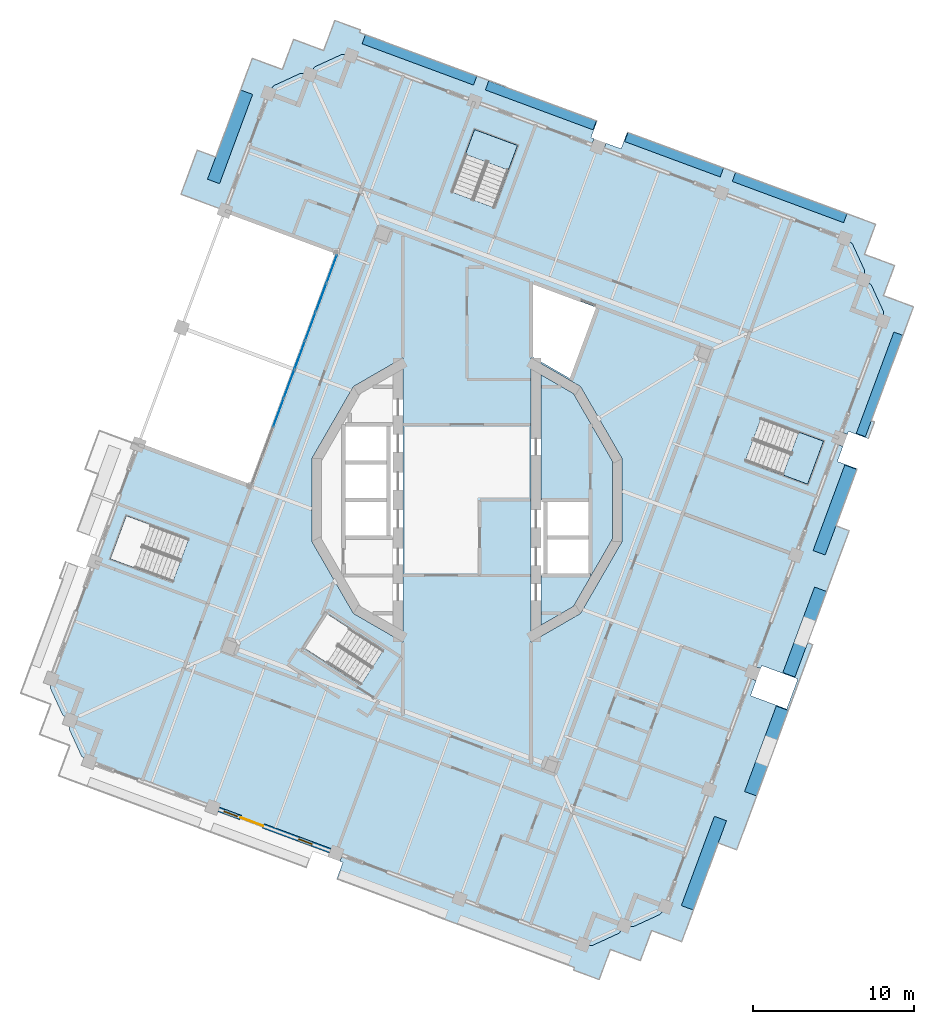
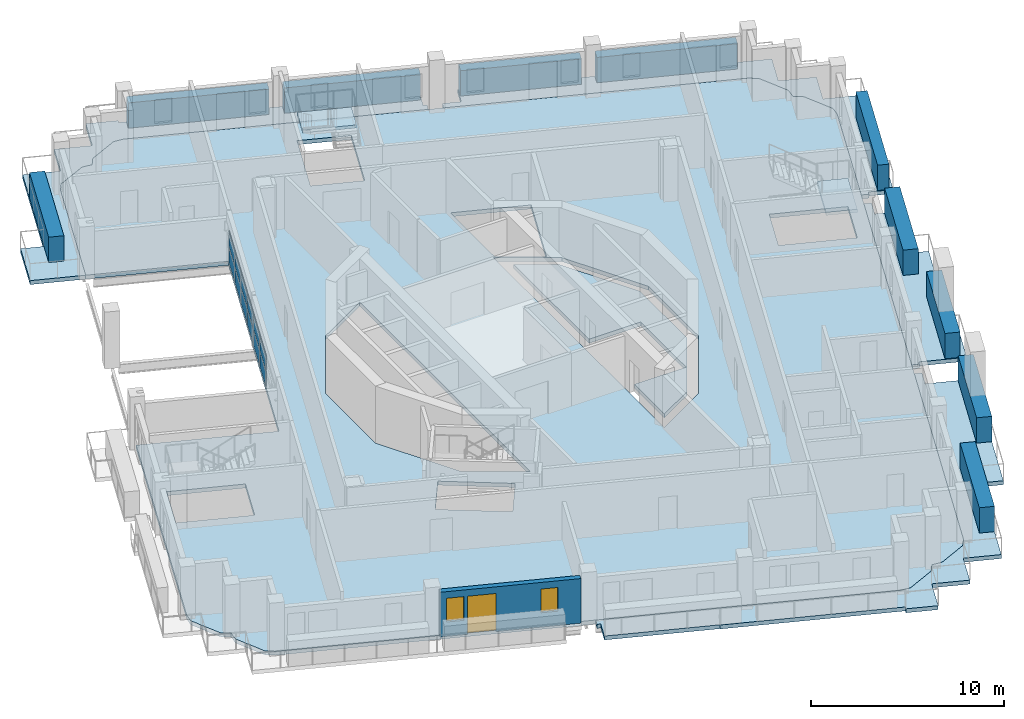
# One storey, part 6 of 20: 22 plates, 7 slabs, 2 windows, 1 door, 1 wall, 3 openings, 3 elements without a shape of their own.
"""IFC4 building model written with IfcOpenShell, lengths in metres."""

from ifc_helpers import new_model, si_unit, direction, frame, frame_2d, origin, origin_2d, place, context, subcontext, project, spatial, polyline, rectangle, outline, extrude, material, layer, layer_set, type_object, element, fill, aggregate, save


model = new_model("IFC4")

# Units and contexts
model_context = context("Model", 3, precision=1e-05, world=origin(), true_north=direction((0.0, 1.0)))
body_context = subcontext(model_context, "Body", "Model", "MODEL_VIEW")
ifc_project = project(units=[si_unit("LENGTHUNIT", "METRE"), si_unit("AREAUNIT", "SQUARE_METRE"), si_unit("VOLUMEUNIT", "CUBIC_METRE"), si_unit("PLANEANGLEUNIT", "RADIAN"), si_unit("MASSUNIT", "GRAM", prefix="KILO")], contexts=[model_context])

# Site, building, storey
site_placement = place(None, origin())
site = spatial("IfcSite", under=ifc_project, at=site_placement, CompositionType="ELEMENT")
building_placement = place(site_placement, origin())
building = spatial("IfcBuilding", under=site, at=building_placement, Name="Cantera Rosa Tower", CompositionType="ELEMENT")
storey_placement = place(building_placement, frame((0.0, 0.0, 309.699951171875)))
storey = spatial("IfcBuildingStorey", under=building, at=storey_placement, Name="L68", CompositionType="ELEMENT", Elevation=309.699951171875)

# Slabs
ifc_material_1 = material(Name="Concrete C35/45", Category="concrete")
ifc_layer_1 = layer(ifc_material_1, 0.25)
ifc_layer_set_1 = layer_set([ifc_layer_1], Name="COMPOSITE FLOOR SLAB 250 C35/45")
slab_type_1 = type_object("IfcSlabType", Name="COMPOSITE FLOOR SLAB 250 C35/45", PredefinedType="FLOOR", material=ifc_layer_set_1)
slab_1_placement = place(storey_placement, frame((0.0, 0.0, -0.25)))
element("IfcSlab", 1, at=slab_1_placement, inside=storey, type_object=slab_type_1, Name="SLAB L68 floor 2", PredefinedType="FLOOR", context=body_context, shape_type="SweptSolid", body=[
    extrude(outline(polyline([(-23.526611328125, -16.2900390625), (-23.919677734375, -16.031494140625), (-23.944091796875, -16.014892578125), (-23.966552734375, -15.99609375), (-23.987060546875, -15.974853515625), (-24.005615234375, -15.951904296875), (-24.021484375, -15.92724609375), (-24.03515625, -15.901123046875), (-24.743408203125, -14.35888671875), (-24.75439453125, -14.331787109375), (-24.7626953125, -14.303466796875), (-24.76806640625, -14.2744140625), (-24.7705078125, -14.2451171875), (-24.770263671875, -14.2158203125), (-24.76708984375, -14.186279296875), (-24.706787109375, -13.7197265625), (-25.10009765625, -13.461181640625), (-25.12451171875, -13.444580078125), (-25.14697265625, -13.42578125), (-25.16748046875, -13.404541015625), (-25.18603515625, -13.381591796875), (-25.201904296875, -13.35693359375), (-25.215576171875, -13.330810546875), (-25.923828125, -11.788818359375), (-25.934814453125, -11.76123046875), (-25.943115234375, -11.733154296875), (-25.948486328125, -11.7041015625), (-25.950927734375, -11.6748046875), (-25.95068359375, -11.6455078125), (-25.947509765625, -11.6162109375), (-25.88720703125, -11.1494140625), (-20.48046875, 3.44091796875), (-13.447998046875, 0.8349609375), (-8.041015625, 15.42529296875), (-15.07373046875, 18.031494140625), (-12.733154296875, 24.347412109375), (-12.370361328125, 25.32666015625), (-12.11181640625, 25.7197265625), (-12.09521484375, 25.744140625), (-12.076171875, 25.7666015625), (-12.05517578125, 25.787353515625), (-12.0322265625, 25.8056640625), (-12.007568359375, 25.82177734375), (-11.9814453125, 25.835205078125), (-10.439208984375, 26.543701171875), (-10.411865234375, 26.554443359375), (-10.383544921875, 26.562744140625), (-10.354736328125, 26.568115234375), (-10.325439453125, 26.57080078125), (-10.2958984375, 26.5703125), (-10.2666015625, 26.567138671875), (-9.800048828125, 26.507080078125), (-9.54150390625, 26.900146484375), (-9.52490234375, 26.924560546875), (-9.505859375, 26.947021484375), (-9.48486328125, 26.9677734375), (-9.4619140625, 26.986083984375), (-9.437255859375, 27.002197265625), (-9.4111328125, 27.015625), (-7.868896484375, 27.72412109375), (-7.841552734375, 27.735107421875), (-7.813232421875, 27.7431640625), (-7.784423828125, 27.74853515625), (-7.7548828125, 27.751220703125), (-7.7255859375, 27.750732421875), (-7.6962890625, 27.74755859375), (-7.2294921875, 27.6875), (-6.25048828125, 27.32470703125), (23.526611328125, 16.2900390625), (23.919677734375, 16.031494140625), (23.944091796875, 16.014892578125), (23.966552734375, 15.99609375), (23.987060546875, 15.974853515625), (24.005615234375, 15.951904296875), (24.021484375, 15.92724609375), (24.03515625, 15.901123046875), (24.743408203125, 14.35888671875), (24.75439453125, 14.331787109375), (24.7626953125, 14.303466796875), (24.76806640625, 14.2744140625), (24.7705078125, 14.2451171875), (24.770263671875, 14.2158203125), (24.76708984375, 14.186279296875), (24.706787109375, 13.7197265625), (25.10009765625, 13.461181640625), (25.12451171875, 13.444580078125), (25.14697265625, 13.42578125), (25.16748046875, 13.404541015625), (25.18603515625, 13.381591796875), (25.201904296875, 13.35693359375), (25.215576171875, 13.330810546875), (25.923828125, 11.788818359375), (25.934814453125, 11.76123046875), (25.943115234375, 11.733154296875), (25.948486328125, 11.7041015625), (25.950927734375, 11.6748046875), (25.95068359375, 11.6455078125), (25.947509765625, 11.6162109375), (25.88720703125, 11.1494140625), (12.733154296875, -24.347412109375), (12.370361328125, -25.32666015625), (12.11181640625, -25.7197265625), (12.09521484375, -25.744140625), (12.076171875, -25.7666015625), (12.05517578125, -25.787353515625), (12.0322265625, -25.8056640625), (12.007568359375, -25.82177734375), (11.9814453125, -25.835205078125), (10.439208984375, -26.543701171875), (10.411865234375, -26.554443359375), (10.383544921875, -26.562744140625), (10.354736328125, -26.568115234375), (10.325439453125, -26.57080078125), (10.2958984375, -26.5703125), (10.2666015625, -26.567138671875), (9.800048828125, -26.507080078125), (9.54150390625, -26.900146484375), (9.52490234375, -26.924560546875), (9.505859375, -26.947021484375), (9.48486328125, -26.9677734375), (9.4619140625, -26.986083984375), (9.437255859375, -27.002197265625), (9.4111328125, -27.015625), (7.868896484375, -27.72412109375), (7.841552734375, -27.735107421875), (7.813232421875, -27.7431640625), (7.784423828125, -27.74853515625), (7.7548828125, -27.751220703125), (7.7255859375, -27.750732421875), (7.6962890625, -27.74755859375), (7.2294921875, -27.6875), (6.25048828125, -27.32470703125), (-23.526611328125, -16.2900390625)]), holes=[polyline([(-8.581298828125, -7.1826171875), (-9.97021484375, -9.3212890625), (-6.6044921875, -11.507080078125), (-5.2158203125, -9.368408203125), (-8.581298828125, -7.1826171875)]), polyline([(-17.335693359375, -2.427490234375), (-21.2158203125, -0.989501953125), (-22.206298828125, -3.662109375), (-18.325927734375, -5.099853515625), (-17.335693359375, -2.427490234375)]), polyline([(-9.6591796875, 2.588134765625), (-9.6591796875, -2.588134765625), (-7.071044921875, -7.071044921875), (-4.0, -8.843994140625), (-4.0, 8.843994140625), (-7.071044921875, 7.071044921875), (-9.6591796875, 2.588134765625)]), polyline([(7.071044921875, -7.071044921875), (9.6591796875, -2.588134765625), (9.6591796875, 2.588134765625), (7.071044921875, 7.071044921875), (4.0, 8.843994140625), (4.0, -8.843994140625), (7.071044921875, -7.071044921875)]), polyline([(17.335693359375, 2.427490234375), (21.2158203125, 0.989501953125), (22.206298828125, 3.662109375), (18.325927734375, 5.099853515625), (17.335693359375, 2.427490234375)]), polyline([(4.10009765625, 8.90185546875), (6.427001953125, 7.558349609375), (8.0703125, 11.9931640625), (4.10009765625, 13.46435546875), (4.10009765625, 8.90185546875)]), polyline([(1.70654296875, 18.203369140625), (3.14453125, 22.08349609375), (0.47216796875, 23.07373046875), (-0.9658203125, 19.193603515625), (1.70654296875, 18.203369140625)])]), origin(), (0.0, 0.0, 1.0), 0.25),
])
slab_2_placement = place(storey_placement, frame((0.0, 0.0, -0.25)))
element("IfcSlab", 2, at=slab_2_placement, inside=storey, type_object=slab_type_1, Name="SLAB L68 floor 3", PredefinedType="FLOOR", context=body_context, shape_type="SweptSolid", body=[
    extrude(outline(polyline([(4.60009765625, 0.0), (4.60009765625, 7.804931640625), (6.6318359375, 6.6318359375), (9.059326171875, 2.427490234375), (9.059326171875, -2.427490234375), (6.6318359375, -6.6318359375), (4.60009765625, -7.804931640625), (4.60009765625, -4.699951171875), (7.699951171875, -4.699951171875), (7.699951171875, -2.35009765625), (7.699951171875, 0.0), (4.60009765625, 0.0)])), origin(), (0.0, 0.0, 1.0), 0.25),
])

# Curtain wall, plates
ifc_material_2 = material(Name="Aluminium frame with clear glass", Category="aluminium")
curtain_wall_type = type_object("IfcCurtainWallType", Name="CW1 TERRACE POCKET GLAZING", PredefinedType="NOTDEFINED", material=ifc_material_2)
curtain_wall_placement = place(storey_placement, origin())
curtain_wall = element("IfcCurtainWall", 3, at=curtain_wall_placement, inside=storey, type_object=curtain_wall_type, Name="CW1 CW1", PredefinedType="NOTDEFINED")
ifc_material_3 = material(Name="Aluminium frame with clear glass", Category="aluminium")
ifc_layer_2 = layer(ifc_material_3, 0.028076171875)
ifc_layer_set_2 = layer_set([ifc_layer_2], Name="CW-PANEL POCKET")
plate_type_1 = type_object("IfcPlateType", Name="CW-PANEL POCKET", PredefinedType="CURTAIN_PANEL", material=ifc_layer_set_2)
plate_1_placement = place(storey_placement, frame((-8.422119140625, 14.396728515625, 0.06005859375), z_axis=(0.0, 0.0, 1.0), x_axis=(-0.347481234472, -0.93768693693, 0.0)))
plate_1 = element("IfcPlate", 4, at=plate_1_placement, type_object=plate_type_1, Name="CW1 panel 1.1", PredefinedType="CURTAIN_PANEL", context=body_context, shape_type="SweptSolid", body=[
    extrude(rectangle(XDim=1.82373046875, YDim=0.028076171875, at=origin_2d()), origin(), (0.0, 0.0, 1.0), 0.97412109375),
])
plate_2_placement = place(storey_placement, frame((-8.422119140625, 14.396728515625, 1.093994140625), z_axis=(0.0, 0.0, 1.0), x_axis=(-0.347481234472, -0.93768693693, 0.0)))
plate_2 = element("IfcPlate", 5, at=plate_2_placement, type_object=plate_type_1, Name="CW1 panel 1.2", PredefinedType="CURTAIN_PANEL", context=body_context, shape_type="SweptSolid", body=[
    extrude(rectangle(XDim=1.82373046875, YDim=0.028076171875, at=origin_2d()), origin(), (0.0, 0.0, 1.0), 0.97412109375),
])
plate_3_placement = place(storey_placement, frame((-9.08203125, 12.616455078125, 0.06005859375), z_axis=(0.0, 0.0, 1.0), x_axis=(-0.347481234472, -0.93768693693, 0.0)))
plate_3 = element("IfcPlate", 6, at=plate_3_placement, type_object=plate_type_1, Name="CW1 panel 2.1", PredefinedType="CURTAIN_PANEL", context=body_context, shape_type="SweptSolid", body=[
    extrude(rectangle(XDim=1.853759765625, YDim=0.028076171875, at=origin_2d()), origin(), (0.0, 0.0, 1.0), 0.97412109375),
])
plate_4_placement = place(storey_placement, frame((-9.08203125, 12.616455078125, 1.093994140625), z_axis=(0.0, 0.0, 1.0), x_axis=(-0.347481234472, -0.93768693693, 0.0)))
plate_4 = element("IfcPlate", 7, at=plate_4_placement, type_object=plate_type_1, Name="CW1 panel 2.2", PredefinedType="CURTAIN_PANEL", context=body_context, shape_type="SweptSolid", body=[
    extrude(rectangle(XDim=1.853759765625, YDim=0.028076171875, at=origin_2d()), origin(), (0.0, 0.0, 1.0), 0.97412109375),
])
plate_5_placement = place(storey_placement, frame((-9.7470703125, 10.82177734375, 0.06005859375), z_axis=(0.0, 0.0, 1.0), x_axis=(-0.347481234472, -0.93768693693, 0.0)))
plate_5 = element("IfcPlate", 8, at=plate_5_placement, type_object=plate_type_1, Name="CW1 panel 3.1", PredefinedType="CURTAIN_PANEL", context=body_context, shape_type="SweptSolid", body=[
    extrude(rectangle(XDim=1.853759765625, YDim=0.028076171875, at=origin_2d()), origin(), (0.0, 0.0, 1.0), 0.97412109375),
])
plate_6_placement = place(storey_placement, frame((-9.7470703125, 10.82177734375, 1.093994140625), z_axis=(0.0, 0.0, 1.0), x_axis=(-0.347481234472, -0.93768693693, 0.0)))
plate_6 = element("IfcPlate", 9, at=plate_6_placement, type_object=plate_type_1, Name="CW1 panel 3.2", PredefinedType="CURTAIN_PANEL", context=body_context, shape_type="SweptSolid", body=[
    extrude(rectangle(XDim=1.853759765625, YDim=0.028076171875, at=origin_2d()), origin(), (0.0, 0.0, 1.0), 0.97412109375),
])
plate_7_placement = place(storey_placement, frame((-10.411865234375, 9.02734375, 0.06005859375), z_axis=(0.0, 0.0, 1.0), x_axis=(-0.347481234472, -0.93768693693, 0.0)))
plate_7 = element("IfcPlate", 10, at=plate_7_placement, type_object=plate_type_1, Name="CW1 panel 4.1", PredefinedType="CURTAIN_PANEL", context=body_context, shape_type="SweptSolid", body=[
    extrude(rectangle(XDim=1.853759765625, YDim=0.028076171875, at=origin_2d()), origin(), (0.0, 0.0, 1.0), 0.97412109375),
])
plate_8_placement = place(storey_placement, frame((-10.411865234375, 9.02734375, 1.093994140625), z_axis=(0.0, 0.0, 1.0), x_axis=(-0.347481234472, -0.93768693693, 0.0)))
plate_8 = element("IfcPlate", 11, at=plate_8_placement, type_object=plate_type_1, Name="CW1 panel 4.2", PredefinedType="CURTAIN_PANEL", context=body_context, shape_type="SweptSolid", body=[
    extrude(rectangle(XDim=1.853759765625, YDim=0.028076171875, at=origin_2d()), origin(), (0.0, 0.0, 1.0), 0.97412109375),
])
plate_9_placement = place(storey_placement, frame((-11.076904296875, 7.23291015625, 0.06005859375), z_axis=(0.0, 0.0, 1.0), x_axis=(-0.347481234472, -0.93768693693, 0.0)))
plate_9 = element("IfcPlate", 12, at=plate_9_placement, type_object=plate_type_1, Name="CW1 panel 5.1", PredefinedType="CURTAIN_PANEL", context=body_context, shape_type="SweptSolid", body=[
    extrude(rectangle(XDim=1.853759765625, YDim=0.028076171875, at=origin_2d()), origin(), (0.0, 0.0, 1.0), 0.97412109375),
])
plate_10_placement = place(storey_placement, frame((-11.076904296875, 7.23291015625, 1.093994140625), z_axis=(0.0, 0.0, 1.0), x_axis=(-0.347481234472, -0.93768693693, 0.0)))
plate_10 = element("IfcPlate", 13, at=plate_10_placement, type_object=plate_type_1, Name="CW1 panel 5.2", PredefinedType="CURTAIN_PANEL", context=body_context, shape_type="SweptSolid", body=[
    extrude(rectangle(XDim=1.853759765625, YDim=0.028076171875, at=origin_2d()), origin(), (0.0, 0.0, 1.0), 0.97412109375),
])
plate_11_placement = place(storey_placement, frame((-11.741943359375, 5.4384765625, 0.06005859375), z_axis=(0.0, 0.0, 1.0), x_axis=(-0.347481234472, -0.93768693693, 0.0)))
plate_11 = element("IfcPlate", 14, at=plate_11_placement, type_object=plate_type_1, Name="CW1 panel 6.1", PredefinedType="CURTAIN_PANEL", context=body_context, shape_type="SweptSolid", body=[
    extrude(rectangle(XDim=1.853759765625, YDim=0.028076171875, at=origin_2d()), origin(), (0.0, 0.0, 1.0), 0.97412109375),
])
plate_12_placement = place(storey_placement, frame((-11.741943359375, 5.4384765625, 1.093994140625), z_axis=(0.0, 0.0, 1.0), x_axis=(-0.347481234472, -0.93768693693, 0.0)))
plate_12 = element("IfcPlate", 15, at=plate_12_placement, type_object=plate_type_1, Name="CW1 panel 6.2", PredefinedType="CURTAIN_PANEL", context=body_context, shape_type="SweptSolid", body=[
    extrude(rectangle(XDim=1.853759765625, YDim=0.028076171875, at=origin_2d()), origin(), (0.0, 0.0, 1.0), 0.97412109375),
])
aggregate(curtain_wall, [plate_1, plate_2, plate_3, plate_4, plate_5, plate_6, plate_7, plate_8, plate_9, plate_10, plate_11, plate_12])

# Slabs
ifc_material_4 = material(Name="Concrete C35/45", Category="concrete")
ifc_layer_3 = layer(ifc_material_4, 0.25)
ifc_layer_set_3 = layer_set([ifc_layer_3], Name="LOGGIA SLAB 250 C35/45")
slab_type_2 = type_object("IfcSlabType", Name="LOGGIA SLAB 250 C35/45", PredefinedType="FLOOR", material=ifc_layer_set_3)
slab_3_placement = place(storey_placement, frame((0.0, 0.0, -0.25)))
element("IfcSlab", 16, at=slab_3_placement, inside=storey, type_object=slab_type_2, Name="LOGGIA SLAB L68 3", PredefinedType="FLOOR", context=body_context, shape_type="SweptSolid", body=[
    extrude(outline(polyline([(-15.651611328125, 21.36474609375), (-13.96435546875, 25.917236328125), (-13.373779296875, 27.511474609375), (-11.779541015625, 26.920654296875), (-11.498291015625, 26.81640625), (-11.39404296875, 27.097900390625), (-10.80322265625, 28.69189453125), (-9.209228515625, 28.10107421875), (-8.927978515625, 27.996826171875), (-8.23291015625, 29.872314453125), (-6.638916015625, 29.281494140625), (-6.69921875, 29.119140625), (2.421630859375, 25.7392578125), (2.412353515625, 25.714111328125), (7.26318359375, 23.91650390625), (8.10693359375, 23.603759765625), (7.724853515625, 22.572265625), (7.912353515625, 22.502685546875), (7.7734375, 22.127685546875), (-6.25048828125, 27.32470703125), (-7.2294921875, 27.6875), (-7.6962890625, 27.74755859375), (-7.7255859375, 27.750732421875), (-7.7548828125, 27.751220703125), (-7.784423828125, 27.74853515625), (-7.813232421875, 27.7431640625), (-7.841552734375, 27.735107421875), (-7.868896484375, 27.72412109375), (-9.4111328125, 27.015625), (-9.437255859375, 27.002197265625), (-9.4619140625, 26.986083984375), (-9.48486328125, 26.9677734375), (-9.505859375, 26.947021484375), (-9.52490234375, 26.924560546875), (-9.54150390625, 26.900146484375), (-9.800048828125, 26.507080078125), (-10.2666015625, 26.567138671875), (-10.2958984375, 26.5703125), (-10.325439453125, 26.57080078125), (-10.354736328125, 26.568115234375), (-10.383544921875, 26.562744140625), (-10.411865234375, 26.554443359375), (-10.439208984375, 26.543701171875), (-11.9814453125, 25.835205078125), (-12.007568359375, 25.82177734375), (-12.0322265625, 25.8056640625), (-12.05517578125, 25.787353515625), (-12.076171875, 25.7666015625), (-12.09521484375, 25.744140625), (-12.11181640625, 25.7197265625), (-12.370361328125, 25.32666015625), (-12.733154296875, 24.347412109375), (-15.07373046875, 18.031494140625), (-17.81640625, 19.047607421875), (-16.7998046875, 21.790283203125), (-15.651611328125, 21.36474609375)])), origin(), (0.0, 0.0, 1.0), 0.25),
])
slab_4_placement = place(storey_placement, frame((0.0, 0.0, -0.25)))
element("IfcSlab", 17, at=slab_4_placement, inside=storey, type_object=slab_type_2, Name="LOGGIA SLAB L68 4", PredefinedType="FLOOR", context=body_context, shape_type="SweptSolid", body=[
    extrude(outline(polyline([(13.96435546875, -25.917236328125), (13.373779296875, -27.511474609375), (11.779541015625, -26.920654296875), (11.498291015625, -26.81640625), (11.39404296875, -27.097900390625), (10.80322265625, -28.69189453125), (9.209228515625, -28.10107421875), (8.927978515625, -27.996826171875), (8.23291015625, -29.872314453125), (6.638916015625, -29.281494140625), (6.69921875, -29.119140625), (-2.421630859375, -25.7392578125), (-2.412353515625, -25.714111328125), (-7.26318359375, -23.91650390625), (-8.10693359375, -23.603759765625), (-7.724853515625, -22.572265625), (-7.912353515625, -22.502685546875), (-7.7734375, -22.127685546875), (6.25048828125, -27.32470703125), (7.2294921875, -27.6875), (7.6962890625, -27.74755859375), (7.7255859375, -27.750732421875), (7.7548828125, -27.751220703125), (7.784423828125, -27.74853515625), (7.813232421875, -27.7431640625), (7.841552734375, -27.735107421875), (7.868896484375, -27.72412109375), (9.4111328125, -27.015625), (9.437255859375, -27.002197265625), (9.4619140625, -26.986083984375), (9.48486328125, -26.9677734375), (9.505859375, -26.947021484375), (9.52490234375, -26.924560546875), (9.54150390625, -26.900146484375), (9.800048828125, -26.507080078125), (10.2666015625, -26.567138671875), (10.2958984375, -26.5703125), (10.325439453125, -26.57080078125), (10.354736328125, -26.568115234375), (10.383544921875, -26.562744140625), (10.411865234375, -26.554443359375), (10.439208984375, -26.543701171875), (11.9814453125, -25.835205078125), (12.007568359375, -25.82177734375), (12.0322265625, -25.8056640625), (12.05517578125, -25.787353515625), (12.076171875, -25.7666015625), (12.09521484375, -25.744140625), (12.11181640625, -25.7197265625), (12.370361328125, -25.32666015625), (12.733154296875, -24.347412109375), (17.63818359375, -11.111328125), (18.01318359375, -11.250244140625), (17.665771484375, -12.18798828125), (19.916259765625, -13.02197265625), (20.611083984375, -11.146484375), (18.360595703125, -10.3125), (18.291259765625, -10.5), (17.916015625, -10.361083984375), (23.044921875, 3.47900390625), (23.419921875, 3.340087890625), (23.072509765625, 2.40234375), (24.3017578125, 1.947021484375), (22.98388671875, -1.609375), (23.805908203125, -1.913818359375), (21.2197265625, -8.892822265625), (21.535888671875, -9.010009765625), (16.7998046875, -21.790283203125), (15.651611328125, -21.36474609375), (13.96435546875, -25.917236328125)])), origin(), (0.0, 0.0, 1.0), 0.25),
])
slab_5_placement = place(storey_placement, frame((0.0, 0.0, -0.25)))
element("IfcSlab", 18, at=slab_5_placement, inside=storey, type_object=slab_type_2, Name="LOGGIA SLAB L68 5", PredefinedType="FLOOR", context=body_context, shape_type="SweptSolid", body=[
    extrude(outline(polyline([(17.76513671875, 20.024658203125), (24.047607421875, 17.696533203125), (25.454345703125, 17.17529296875), (24.93310546875, 15.768798828125), (24.75927734375, 15.300048828125), (25.22802734375, 15.126220703125), (26.634765625, 14.60498046875), (26.11328125, 13.198486328125), (25.939697265625, 12.729736328125), (26.408447265625, 12.555908203125), (27.815185546875, 12.03466796875), (27.2939453125, 10.628173828125), (25.18505859375, 4.937255859375), (25.3828125, 4.864013671875), (24.996826171875, 3.822265625), (23.767578125, 4.27783203125), (23.697998046875, 4.09033203125), (23.322998046875, 4.229248046875), (25.88720703125, 11.1494140625), (25.947509765625, 11.6162109375), (25.95068359375, 11.6455078125), (25.950927734375, 11.6748046875), (25.948486328125, 11.7041015625), (25.943115234375, 11.733154296875), (25.934814453125, 11.76123046875), (25.923828125, 11.788818359375), (25.215576171875, 13.330810546875), (25.201904296875, 13.35693359375), (25.18603515625, 13.381591796875), (25.16748046875, 13.404541015625), (25.14697265625, 13.42578125), (25.12451171875, 13.444580078125), (25.10009765625, 13.461181640625), (24.706787109375, 13.7197265625), (24.76708984375, 14.186279296875), (24.770263671875, 14.2158203125), (24.7705078125, 14.2451171875), (24.76806640625, 14.2744140625), (24.7626953125, 14.303466796875), (24.75439453125, 14.331787109375), (24.743408203125, 14.35888671875), (24.03515625, 15.901123046875), (24.021484375, 15.92724609375), (24.005615234375, 15.951904296875), (23.987060546875, 15.974853515625), (23.966552734375, 15.99609375), (23.944091796875, 16.014892578125), (23.919677734375, 16.031494140625), (23.526611328125, 16.2900390625), (8.5234375, 21.849853515625), (8.66259765625, 22.224853515625), (9.60009765625, 21.87744140625), (9.982421875, 22.90869140625), (10.076171875, 22.8740234375), (14.9521484375, 21.067138671875), (17.76513671875, 20.024658203125)])), origin(), (0.0, 0.0, 1.0), 0.25),
])

# Plates
ifc_material_5 = material(Name="Cantera stone planter with soil", Category="masonry")
plate_type_2 = type_object("IfcPlateType", Name="PLANTER 600", PredefinedType="USERDEFINED", material=ifc_material_5)
plate_13_placement = place(storey_placement, frame((20.098876953125, 18.83984375, 0.0), z_axis=(0.0, 0.0, 1.0), x_axis=(-0.937686936924, 0.347481234489, 0.0)))
element("IfcPlate", 19, at=plate_13_placement, inside=storey, type_object=plate_type_2, Name="PLANTER L68-01", ObjectType="PLANTER", PredefinedType="USERDEFINED", context=body_context, shape_type="SweptSolid", body=[
    extrude(rectangle(XDim=7.39990234375, YDim=0.60009765625, at=origin_2d()), origin(), (0.0, 0.0, 1.0), 1.60009765625),
])
plate_14_placement = place(storey_placement, frame((12.902099609375, 21.5068359375, 0.0), z_axis=(0.0, 0.0, 1.0), x_axis=(-0.937686936924, 0.347481234489, 0.0)))
element("IfcPlate", 20, at=plate_14_placement, inside=storey, type_object=plate_type_2, Name="PLANTER L68-02", ObjectType="PLANTER", PredefinedType="USERDEFINED", context=body_context, shape_type="SweptSolid", body=[
    extrude(rectangle(XDim=6.35009765625, YDim=0.60009765625, at=origin_2d()), origin(), (0.0, 0.0, 1.0), 1.60009765625),
])
plate_15_placement = place(storey_placement, frame((4.603759765625, 24.58203125, 0.0), z_axis=(0.0, 0.0, 1.0), x_axis=(-0.937686936924, 0.347481234489, 0.0)))
element("IfcPlate", 21, at=plate_15_placement, inside=storey, type_object=plate_type_2, Name="PLANTER L68-03", ObjectType="PLANTER", PredefinedType="USERDEFINED", context=body_context, shape_type="SweptSolid", body=[
    extrude(rectangle(XDim=7.14990234375, YDim=0.60009765625, at=origin_2d()), origin(), (0.0, 0.0, 1.0), 1.60009765625),
])
plate_16_placement = place(storey_placement, frame((-2.958740234375, 27.4130859375, 0.0), z_axis=(0.0, 0.0, 1.0), x_axis=(-0.937686936924, 0.347481234489, 0.0)))
element("IfcPlate", 22, at=plate_16_placement, inside=storey, type_object=plate_type_2, Name="PLANTER L68-04", ObjectType="PLANTER", PredefinedType="USERDEFINED", context=body_context, shape_type="SweptSolid", body=[
    extrude(rectangle(XDim=7.39990234375, YDim=0.60009765625, at=origin_2d()), origin(), (0.0, 0.0, 1.0), 1.60009765625),
])
plate_17_placement = place(storey_placement, frame((25.704345703125, 7.201904296875, 0.0), z_axis=(0.0, 0.0, 1.0), x_axis=(0.347481234489, 0.937686936924, 0.0)))
element("IfcPlate", 23, at=plate_17_placement, inside=storey, type_object=plate_type_2, Name="PLANTER L68-18", ObjectType="PLANTER", PredefinedType="USERDEFINED", context=body_context, shape_type="SweptSolid", body=[
    extrude(rectangle(XDim=6.72998046875, YDim=0.60009765625, at=origin_2d()), origin(), (0.0, 0.0, 1.0), 1.60009765625),
])
ifc_material_6 = material(Name="Cantera stone planter with soil", Category="masonry")
plate_type_3 = type_object("IfcPlateType", Name="PLANTER 800", PredefinedType="USERDEFINED", material=ifc_material_6)
for number, where, z_axis, x_axis, name in (
    (24, (-14.758544921875, 22.623046875, 0.0), (0.0, 0.0, 1.0), (-0.347481234489, -0.937686936924, 0.0), "PLANTER L68-05"),
    (25, (14.758544921875, -22.623046875, 0.0), (0.0, 0.0, 1.0), (0.347481234489, 0.937686936924, 0.0), "PLANTER L68-14"),
):
    element("IfcPlate", number, at=place(storey_placement, frame(where, z_axis=z_axis, x_axis=x_axis)), inside=storey, type_object=plate_type_3, Name=name, ObjectType="PLANTER", PredefinedType="USERDEFINED", context=body_context, shape_type="SweptSolid", body=[
        extrude(rectangle(XDim=5.929931640625, YDim=0.800048828125, at=origin_2d()), origin(), (0.0, 0.0, 1.0), 1.60009765625),
    ])
for number, where, z_axis, x_axis, name in (
    (26, (18.65380859375, -15.63623046875, 0.0), (0.0, 0.0, 1.0), (0.347481234489, 0.937686936924, 0.0), "PLANTER L68-15"),
    (27, (21.041015625, -8.223876953125, 0.0), (0.0, 0.0, 1.0), (0.347481234489, 0.937686936924, 0.0), "PLANTER L68-16"),
    (28, (22.922607421875, -0.6240234375, 0.0), (0.0, 0.0, 1.0), (0.347481234489, 0.937686936924, 0.0), "PLANTER L68-17"),
):
    element("IfcPlate", number, at=place(storey_placement, frame(where, z_axis=z_axis, x_axis=x_axis)), inside=storey, type_object=plate_type_3, Name=name, ObjectType="PLANTER", PredefinedType="USERDEFINED", context=body_context, shape_type="SweptSolid", body=[
        extrude(rectangle(XDim=5.679931640625, YDim=0.800048828125, at=origin_2d()), origin(), (0.0, 0.0, 1.0), 1.60009765625),
    ])

# Stair, slab
ifc_material_7 = material(Name="Concrete C35/45", Category="concrete")
stair_type = type_object("IfcStairType", Name="EXIT STAIR 1350 DOGLEG", PredefinedType="HALF_TURN_STAIR", material=ifc_material_7)
stair_1_placement = place(storey_placement, origin())
stair_1 = element("IfcStair", 29, at=stair_1_placement, inside=storey, type_object=stair_type, Name="L68 ST-61", PredefinedType="HALF_TURN_STAIR")
ifc_material_8 = material(Name="Concrete C35/45", Category="concrete")
ifc_layer_4 = layer(ifc_material_8, 0.199951171875)
ifc_layer_set_4 = layer_set([ifc_layer_4], Name="STAIR LANDING 200")
slab_type_3 = type_object("IfcSlabType", Name="STAIR LANDING 200", PredefinedType="LANDING", material=ifc_layer_set_4)
slab_6_placement = place(storey_placement, frame((0.0, 0.0, 1.60009765625)))
slab_6 = element("IfcSlab", 30, at=slab_6_placement, type_object=slab_type_3, Name="ST-61 landing 1", PredefinedType="LANDING", context=body_context, shape_type="SweptSolid", body=[
    extrude(outline(polyline([(19.67626953125, 1.56005859375), (21.2158203125, 0.989501953125), (22.206298828125, 3.661865234375), (20.66650390625, 4.232421875), (19.67626953125, 1.56005859375)])), origin(), (0.0, 0.0, 1.0), 0.199951171875),
])
aggregate(stair_1, [slab_6])

stair_2_placement = place(storey_placement, origin())
stair_2 = element("IfcStair", 31, at=stair_2_placement, inside=storey, type_object=stair_type, Name="L68 ST-62", PredefinedType="HALF_TURN_STAIR")
slab_7_placement = place(storey_placement, frame((0.0, 0.0, 1.60009765625)))
slab_7 = element("IfcSlab", 32, at=slab_7_placement, type_object=slab_type_3, Name="ST-62 landing 1", PredefinedType="LANDING", context=body_context, shape_type="SweptSolid", body=[
    extrude(outline(polyline([(2.573974609375, 20.543701171875), (3.14453125, 22.08349609375), (0.47216796875, 23.07373046875), (-0.098388671875, 21.5341796875), (2.573974609375, 20.543701171875)])), origin(), (0.0, 0.0, 1.0), 0.199951171875),
])
aggregate(stair_2, [slab_7])

# Wall, openings, windows, door
ifc_material_9 = material(Name="Hollow clay masonry with cantera stone cladding", Category="masonry")
ifc_layer_5 = layer(ifc_material_9, 0.300048828125)
ifc_layer_set_5 = layer_set([ifc_layer_5], Name="EW-LOGGIA 300 H2820")
wall_type = type_object("IfcWallType", Name="EW-LOGGIA 300 H2820", PredefinedType="SOLIDWALL", material=ifc_layer_set_5)
wall_placement = place(storey_placement, frame((-15.46240234375, -19.2783203125, 0.0), z_axis=(0.0, 0.0, 1.0), x_axis=(0.937680690562, -0.34749808999, 0.0)))
wall = element("IfcWall", 33, at=wall_placement, inside=storey, type_object=wall_type, Name="EN-L68-W15", PredefinedType="SOLIDWALL", context=body_context, shape_type="SweptSolid", body=[
    extrude(rectangle(XDim=7.400146484375, YDim=0.300048828125, at=frame_2d((3.7001953125, 0.0))), origin(), (0.0, 0.0, 1.0), 2.820068359375),
])
opening_1_placement = place(wall_placement, frame((0.35009765625, 0.0, 0.89990234375)))
opening_1 = element("IfcOpeningElement", 34, at=opening_1_placement, cuts=wall, Name="Opening L68-W25", PredefinedType="OPENING", context=body_context, shape_type="SweptSolid", body=[
    extrude(rectangle(XDim=0.89990234375, YDim=1.5, at=frame_2d((0.449951171875, 0.75))), frame((0.0, 0.159912109375, 0.0), z_axis=(0.0, -1.0, 0.0), x_axis=(1.0, 0.0, 0.0)), (0.0, 0.0, 1.0), 0.320068359375),
])
opening_2_placement = place(wall_placement, frame((1.449951171875, 0.0, 0.0)))
opening_2 = element("IfcOpeningElement", 35, at=opening_2_placement, cuts=wall, Name="Opening L68-TD26", PredefinedType="OPENING", context=body_context, shape_type="SweptSolid", body=[
    extrude(rectangle(XDim=1.5, YDim=2.39990234375, at=frame_2d((0.75, 1.199951171875))), frame((0.0, 0.159912109375, 0.0), z_axis=(0.0, -1.0, 0.0), x_axis=(1.0, 0.0, 0.0)), (0.0, 0.0, 1.0), 0.320068359375),
])
opening_3_placement = place(wall_placement, frame((5.300048828125, 0.0, 0.89990234375)))
opening_3 = element("IfcOpeningElement", 36, at=opening_3_placement, cuts=wall, Name="Opening L68-W27", PredefinedType="OPENING", context=body_context, shape_type="SweptSolid", body=[
    extrude(rectangle(XDim=0.89990234375, YDim=1.5, at=frame_2d((0.449951171875, 0.75))), frame((0.0, 0.159912109375, 0.0), z_axis=(0.0, -1.0, 0.0), x_axis=(1.0, 0.0, 0.0)), (0.0, 0.0, 1.0), 0.320068359375),
])
ifc_material_10 = material(Name="Aluminium frame with clear glass", Category="aluminium")
window_type = type_object("IfcWindowType", Name="Residential window 900x1500", PartitioningType="SINGLE_PANEL", PredefinedType="WINDOW", material=ifc_material_10)
window_1_placement = place(opening_1_placement, origin())
window_1 = element("IfcWindow", 37, at=window_1_placement, inside=storey, type_object=window_type, Name="WINDOW L68-W25", OverallHeight=1.5, OverallWidth=0.89990234375, PartitioningType="SINGLE_PANEL", PredefinedType="WINDOW", context=body_context, shape_type="SweptSolid", body=[
    extrude(rectangle(XDim=0.89990234375, YDim=1.5, at=frame_2d((0.449951171875, 0.75))), frame((0.0, 0.030029296875, 0.0), z_axis=(0.0, -1.0, 0.0), x_axis=(1.0, 0.0, 0.0)), (0.0, 0.0, 1.0), 0.06005859375),
])
fill(opening_1, window_1)
window_2_placement = place(opening_3_placement, origin())
window_2 = element("IfcWindow", 38, at=window_2_placement, inside=storey, type_object=window_type, Name="WINDOW L68-W27", OverallHeight=1.5, OverallWidth=0.89990234375, PartitioningType="SINGLE_PANEL", PredefinedType="WINDOW", context=body_context, shape_type="SweptSolid", body=[
    extrude(rectangle(XDim=0.89990234375, YDim=1.5, at=frame_2d((0.449951171875, 0.75))), frame((0.0, 0.030029296875, 0.0), z_axis=(0.0, -1.0, 0.0), x_axis=(1.0, 0.0, 0.0)), (0.0, 0.0, 1.0), 0.06005859375),
])
fill(opening_3, window_2)
ifc_material_11 = material(Name="Aluminium frame with clear glass", Category="aluminium")
door_type = type_object("IfcDoorType", Name="TD-R 1500x2400", OperationType="NOTDEFINED", PredefinedType="DOOR", material=ifc_material_11)
door_placement = place(opening_2_placement, origin())
door = element("IfcDoor", 39, at=door_placement, inside=storey, type_object=door_type, Name="LOGGIA DOOR L68-TD26", OperationType="SLIDING_TO_LEFT", OverallHeight=2.39990234375, OverallWidth=1.5, PredefinedType="DOOR", context=body_context, shape_type="SweptSolid", body=[
    extrude(rectangle(XDim=1.5, YDim=2.39990234375, at=frame_2d((0.75, 1.199951171875))), frame((0.0, 0.02490234375, 0.0), z_axis=(0.0, -1.0, 0.0), x_axis=(1.0, 0.0, 0.0)), (0.0, 0.0, 1.0), 0.050048828125),
])
fill(opening_2, door)

save(model, "model.ifc")
